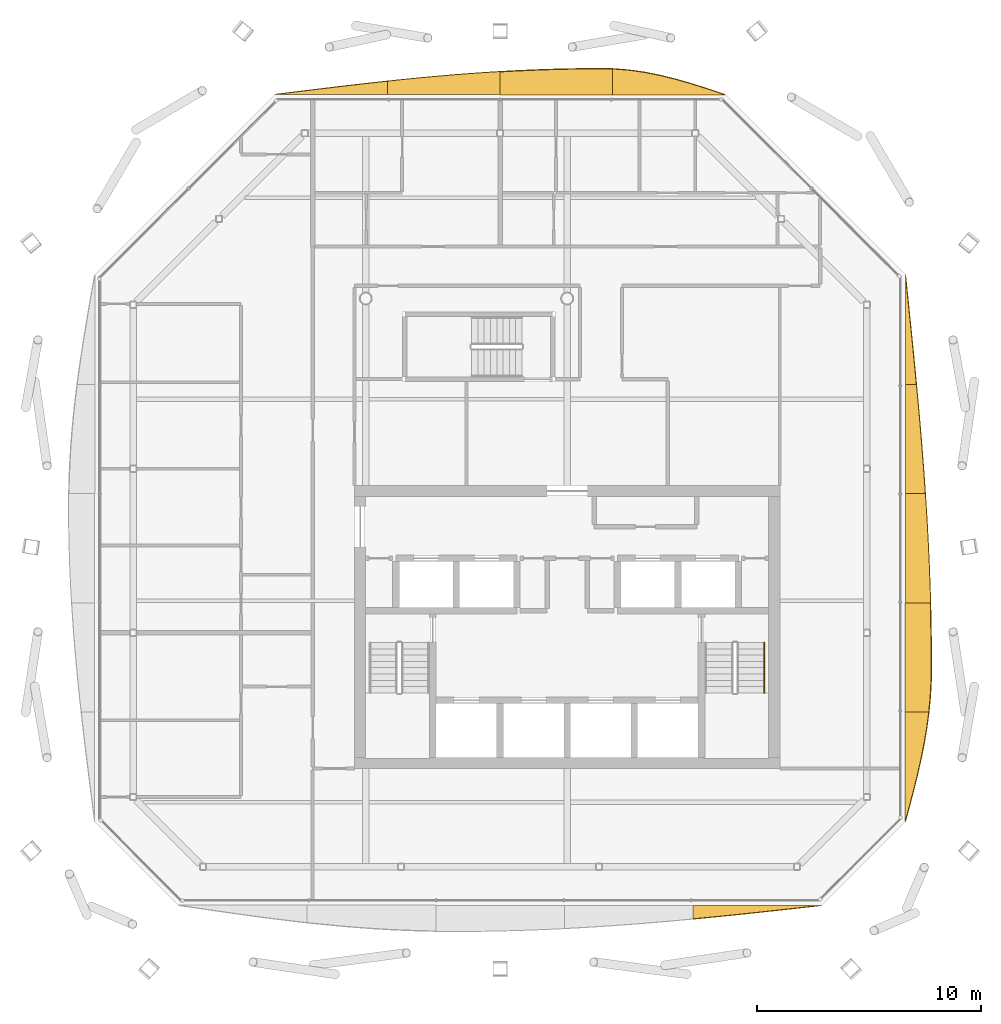
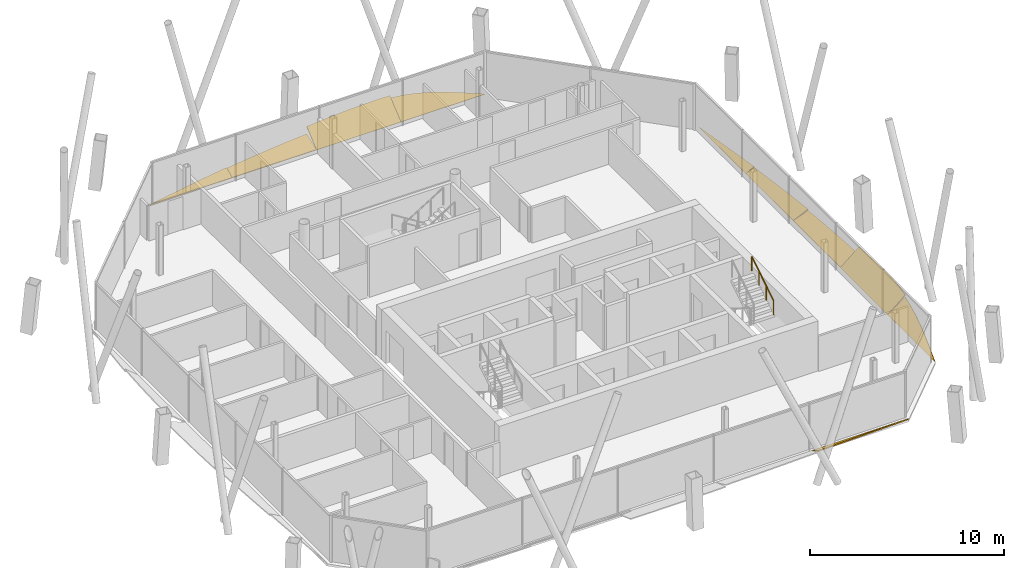
# One storey, part 17 of 17: 10 shading devices, 1 railing.
"""IFC4 building model written with IfcOpenShell, lengths in metres."""

from ifc_helpers import new_model, si_unit, direction, frame, origin, origin_2d, place, context, subcontext, project, spatial, polyline, circle, outline, extrude, material, layer, layer_set, type_object, element, save


model = new_model("IFC4")

# Units and contexts
model_context = context("Model", 3, precision=1e-05, world=origin(), true_north=direction((0.0, 1.0)))
body_context = subcontext(model_context, "Body", "Model", "MODEL_VIEW")
ifc_project = project(units=[si_unit("LENGTHUNIT", "METRE"), si_unit("AREAUNIT", "SQUARE_METRE"), si_unit("VOLUMEUNIT", "CUBIC_METRE"), si_unit("PLANEANGLEUNIT", "RADIAN"), si_unit("MASSUNIT", "GRAM", prefix="KILO")], contexts=[model_context])

# Site, building, storey
site_placement = place(None, origin())
site = spatial("IfcSite", under=ifc_project, at=site_placement, CompositionType="ELEMENT")
building_placement = place(site_placement, origin())
building = spatial("IfcBuilding", under=site, at=building_placement, Name="Tskaro Facet Tower", CompositionType="ELEMENT")
storey_placement = place(building_placement, frame((0.0, 0.0, 236.10009765625)))
storey = spatial("IfcBuildingStorey", under=building, at=storey_placement, Name="L61", CompositionType="ELEMENT", Elevation=236.10009765625)

# Shading devices
ifc_material_1 = material(Name="Bronze anodised aluminium 6063-T6", Category="aluminium")
ifc_layer = layer(ifc_material_1, 0.06005859375, Name="Bronze anodised aluminium 6063-T6")
ifc_layer_set = layer_set([ifc_layer], Name="Bronze anodised aluminium 6063-T6")
shading_device_type = type_object("IfcShadingDeviceType", Name="Bronze sun blade (FN1)", PredefinedType="USERDEFINED", material=ifc_layer_set)
shading_device_1_placement = place(storey_placement, frame((5.6142578125, -18.10888671875, 0.0517578125), z_axis=(-1.87932e-07, 0.500116127644, 0.865958347076), x_axis=(1.0, 9.3988e-08, 1.62741e-07)))
element("IfcShadingDevice", 1, at=shading_device_1_placement, inside=storey, type_object=shading_device_type, Name="Fin blade south 5", ObjectType="FIN", PredefinedType="USERDEFINED", context=body_context, shape_type="SweptSolid", body=[
    extrude(outline(polyline([(0.0, 0.0), (5.742675781249899, 7.600368112684499e-23), (5.024902343755791, -0.09220955264124145), (4.307128906251059, -0.1835406611182945), (3.5891113281274873, -0.27432683970721383), (2.871337890624452, -0.36368964424381106), (2.153564453100167, -0.4512955604520315), (1.4355468750152567, -0.5368438557716928), (0.7177734375005258, -0.6199682342108678), (-1.8697927853344745e-13, -0.7000344489333197), (0.0, 0.0)])), origin(), (0.0, 0.0, -1.0), 0.06005859375),
])
shading_device_2_placement = place(storey_placement, frame((15.1044921875, -14.35693359375, 0.049072265625), z_axis=(-0.57350638306, -1.931118e-06, 0.819201091666), x_axis=(-1.107509e-06, 0.999999999998, 1.581974e-06)))
element("IfcShadingDevice", 2, at=shading_device_2_placement, inside=storey, type_object=shading_device_type, Name="Fin blade east 1", ObjectType="FIN", PredefinedType="USERDEFINED", context=body_context, shape_type="SweptSolid", body=[
    extrude(outline(polyline([(0.0, 0.0), (4.881835937490897, 0.0), (4.881835937473705, -1.2817899449844083), (4.184326172016314, -1.1680055159575393), (3.486816406330342, -1.0237398928558616), (2.7895507813879914, -0.8529932412121575), (2.0920410156298495, -0.6598257106189289), (1.394775390459848, -0.44965751656196606), (0.6972656247819209, -0.22790887452705968), (0.0, 0.0)])), origin(), (0.0, 0.0, -1.0), 0.06005859375),
])
shading_device_3_placement = place(storey_placement, frame((15.100341796875, -9.47509765625, 0.0458984375), z_axis=(-0.642752268903, -7.095054e-06, 0.766074096136), x_axis=(-4.560362e-06, 0.999999999975, 5.435337e-06)))
element("IfcShadingDevice", 3, at=shading_device_3_placement, inside=storey, type_object=shading_device_type, Name="Fin blade east 2", ObjectType="FIN", PredefinedType="USERDEFINED", context=body_context, shape_type="SweptSolid", body=[
    extrude(outline(polyline([(0.0, 0.0), (4.881591796752131, 2.0674345434997235e-21), (4.881591796397219, -1.4624292633283151), (4.184326172670856, -1.484248762873196), (3.4868164060149973, -1.5003780046208757), (2.7895507812333564, -1.510599850894745), (2.092041014849207, -1.515288361312067), (1.9038085943059317, -1.515445283252721), (1.3947753907793177, -1.504879485229566), (0.6972656247633927, -1.4567088976631362), (-8.352100139943488e-10, -1.3705895688041463), (0.0, 0.0)])), origin(), (0.0, 0.0, -1.0), 0.06005859375),
])
shading_device_4_placement = place(storey_placement, frame((15.118408203125, -4.593505859375, 0.056396484375), z_axis=(-0.341899188327, 2.70037e-07, 0.93973663599), x_axis=(9.2325e-08, 1.0, -2.53763e-07)))
element("IfcShadingDevice", 4, at=shading_device_4_placement, inside=storey, type_object=shading_device_type, Name="Fin blade east 3", ObjectType="FIN", PredefinedType="USERDEFINED", context=body_context, shape_type="SweptSolid", body=[
    extrude(outline(polyline([(0.0, 0.0), (4.881835937499822, 0.0), (4.881835937468968, -0.9444031489207461), (4.184570312527459, -0.992126998396258), (3.48706054684812, -1.0358461157113341), (2.78979492184994, -1.0758524136822165), (2.0922851562772515, -1.111374137158442), (1.3950195312786873, -1.1428076569927066), (0.6975097656211202, -1.1696106459241937), (-2.536912196074406e-11, -1.1922419597321947), (0.0, 0.0)])), origin(), (0.0, 0.0, -1.0), 0.06005859375),
])
shading_device_5_placement = place(storey_placement, frame((15.113525390625, 0.288330078125, 0.05419921875), z_axis=(-0.422649147213, -1.836992e-05, 0.906293384078), x_axis=(-7.764031e-06, 0.999999999831, 1.6648537e-05)))
element("IfcShadingDevice", 5, at=shading_device_5_placement, inside=storey, type_object=shading_device_type, Name="Fin blade east 4", ObjectType="FIN", PredefinedType="USERDEFINED", context=body_context, shape_type="SweptSolid", body=[
    extrude(outline(polyline([(0.0, 0.0), (4.8818359366763024, -4.135075882152585e-21), (4.881835936554198, -0.540111129905479), (4.184570311199643, -0.6112164274037221), (3.4870605460214295, -0.6799176142947359), (2.789550783540034, -0.745993427545261), (2.0922851562512452, -0.8092374955013502), (1.3947753907607618, -0.8693104779234581), (0.6975097642539164, -0.9261091889846111), (-2.623693094820318e-09, -0.9794123656515501), (0.0, 0.0)])), origin(), (0.0, 0.0, -1.0), 0.06005859375),
])
shading_device_6_placement = place(storey_placement, frame((15.10888671875, 5.170166015625, 0.0517578125), z_axis=(-0.500071171227, 8.312905e-06, 0.865984309118), x_axis=(4.157044e-06, 0.999999999965, -7.198845e-06)))
element("IfcShadingDevice", 6, at=shading_device_6_placement, inside=storey, type_object=shading_device_type, Name="Fin blade east 5", ObjectType="FIN", PredefinedType="USERDEFINED", context=body_context, shape_type="SweptSolid", body=[
    extrude(outline(polyline([(0.0, 0.0), (4.8818359373313225, 0.0), (4.184326171604084, -0.08345789203870893), (3.487060546229563, -0.16637085248817468), (2.789550781715304, -0.2486167936601051), (2.092285156538857, -0.33010638129231684), (1.3947753909354932, -0.41017259610727463), (0.697509765140293, -0.48860401615450283), (-3.3919663917710723e-10, -0.5652785537457095), (0.0, 0.0)])), origin(), (0.0, 0.0, -1.0), 0.06005859375),
])
shading_device_7_placement = place(storey_placement, frame((7.052001953125, 18.1044921875, 0.049072265625), z_axis=(1.6880806e-05, -0.573526735149, 0.819186843025), x_axis=(-0.999999999858, -9.681594e-06, 1.3828534e-05)))
element("IfcShadingDevice", 7, at=shading_device_7_placement, inside=storey, type_object=shading_device_type, Name="Fin blade north 1", ObjectType="FIN", PredefinedType="USERDEFINED", context=body_context, shape_type="SweptSolid", body=[
    extrude(outline(polyline([(0.0, 0.0), (5.026123046158874, 0.0), (5.026123048007408, -1.4058747913974499), (4.308105467034393, -1.339292183132874), (3.5900878885001783, -1.2158873720300047), (2.8720703137480887, -1.04108057555333), (2.15405273432797, -0.8219720310336572), (1.4360351556289424, -0.5683221438972699), (0.7180175783127812, -0.29029131314620316), (0.0, 0.0)])), origin(), (0.0, 0.0, -1.0), 0.06005859375),
])
shading_device_8_placement = place(storey_placement, frame((2.02587890625, 18.100341796875, 0.0458984375), z_axis=(4.075814e-06, -0.642752717856, 0.766073719477), x_axis=(-0.999999999992, -2.619741e-06, 3.122374e-06)))
element("IfcShadingDevice", 8, at=shading_device_8_placement, inside=storey, type_object=shading_device_type, Name="Fin blade north 2", ObjectType="FIN", PredefinedType="USERDEFINED", context=body_context, shape_type="SweptSolid", body=[
    extrude(outline(polyline([(0.0, 0.0), (5.025878906208255, 0.0), (5.025878906710399, -1.3357363933275845), (4.3078613277661395, -1.3868757324462648), (3.5898437494428292, -1.429856935876069), (2.871826171617752, -1.464336051850068), (2.153808594168196, -1.4899691286013317), (1.435791015692277, -1.5067862737962718), (0.7177734375918788, -1.514757379768477), (0.4421386722145948, -1.5154452833023364), (2.539538396217912e-10, -1.5033166484605638), (0.0, 0.0)])), origin(), (0.0, 0.0, -1.0), 0.06005859375),
])
shading_device_9_placement = place(storey_placement, frame((-3.0, 18.118408203125, 0.056396484375), z_axis=(-2.4255583e-05, -0.341849334591, 0.939754772189), x_axis=(-0.999999999706, 8.291755e-06, -2.27943e-05)))
element("IfcShadingDevice", 9, at=shading_device_9_placement, inside=storey, type_object=shading_device_type, Name="Fin blade north 3", ObjectType="FIN", PredefinedType="USERDEFINED", context=body_context, shape_type="SweptSolid", body=[
    extrude(outline(polyline([(0.0, 0.0), (5.025878904771554, 8.514170045008314e-21), (5.0258789085359465, -0.6346150191255745), (4.308105467417847, -0.7141687510249339), (3.590087888699595, -0.7897802423004834), (2.8720703104737133, -0.8604483043720098), (2.1540527327402046, -0.9261729372395134), (1.4360351570153738, -0.986411816957774), (0.7180175792505127, -1.0407060788917988), (-2.5787327271457238e-09, -1.088826290724091), (0.0, 0.0)])), origin(), (0.0, 0.0, -1.0), 0.06005859375),
])
shading_device_10_placement = place(storey_placement, frame((-8.02587890625, 18.113525390625, 0.05419921875), z_axis=(1.3349216e-05, -0.422653250696, 0.906291470498), x_axis=(-0.999999999911, -5.642089e-06, 1.209828e-05)))
element("IfcShadingDevice", 10, at=shading_device_10_placement, inside=storey, type_object=shading_device_type, Name="Fin blade north 4", ObjectType="FIN", PredefinedType="USERDEFINED", context=body_context, shape_type="SweptSolid", body=[
    extrude(outline(polyline([(0.0, 0.0), (5.026123046427169, -4.257291817657295e-21), (4.308105467916712, -0.09884830946727384), (3.590087891962426, -0.19670838184151795), (2.8720703112794843, -0.2935951060312069), (2.154052734331422, -0.38872661860089575), (1.4360351565883391, -0.4816752833269404), (0.7180175776527244, -0.5713496762875186), (-8.992031527340517e-10, -0.6580742468774823), (0.0, 0.0)])), origin(), (0.0, 0.0, -1.0), 0.06005859375),
])

# Railing
ifc_material_2 = material(Name="Stainless steel", Category="steel")
railing_type = type_object("IfcRailingType", Name="RL-HANDRAIL-900", PredefinedType="HANDRAIL", material=ifc_material_2)
railing_placement = place(storey_placement, frame((8.800048828125, -8.614990234375, 1.75)))
element("IfcRailing", 11, at=railing_placement, inside=storey, type_object=railing_type, Name="L61 ST-2 stair handrail 2", PredefinedType="HANDRAIL", context=body_context, shape_type="SweptSolid", body=[
    extrude(circle(Radius=0.02392578125, at=origin_2d()), frame((0.0, 0.0, 0.8759765625), z_axis=(0.0, 0.848013881152, 0.529974015752), x_axis=(-1.0, 0.0, 0.0)), (0.0, 0.0, 1.0), 2.641357421875),
    extrude(circle(Radius=0.02099609375, at=origin_2d()), origin(), (0.0, 0.0, 1.0), 0.851806640625),
    extrude(circle(Radius=0.02099609375, at=origin_2d()), frame((0.0, 0.74658203125, 0.466552734375)), (0.0, 0.0, 1.0), 0.851806640625),
    extrude(circle(Radius=0.02099609375, at=origin_2d()), frame((0.0, 1.493408203125, 0.933349609375)), (0.0, 0.0, 1.0), 0.851806640625),
    extrude(circle(Radius=0.02099609375, at=origin_2d()), frame((0.0, 2.239990234375, 1.39990234375)), (0.0, 0.0, 1.0), 0.851806640625),
])

save(model, "model.ifc")
